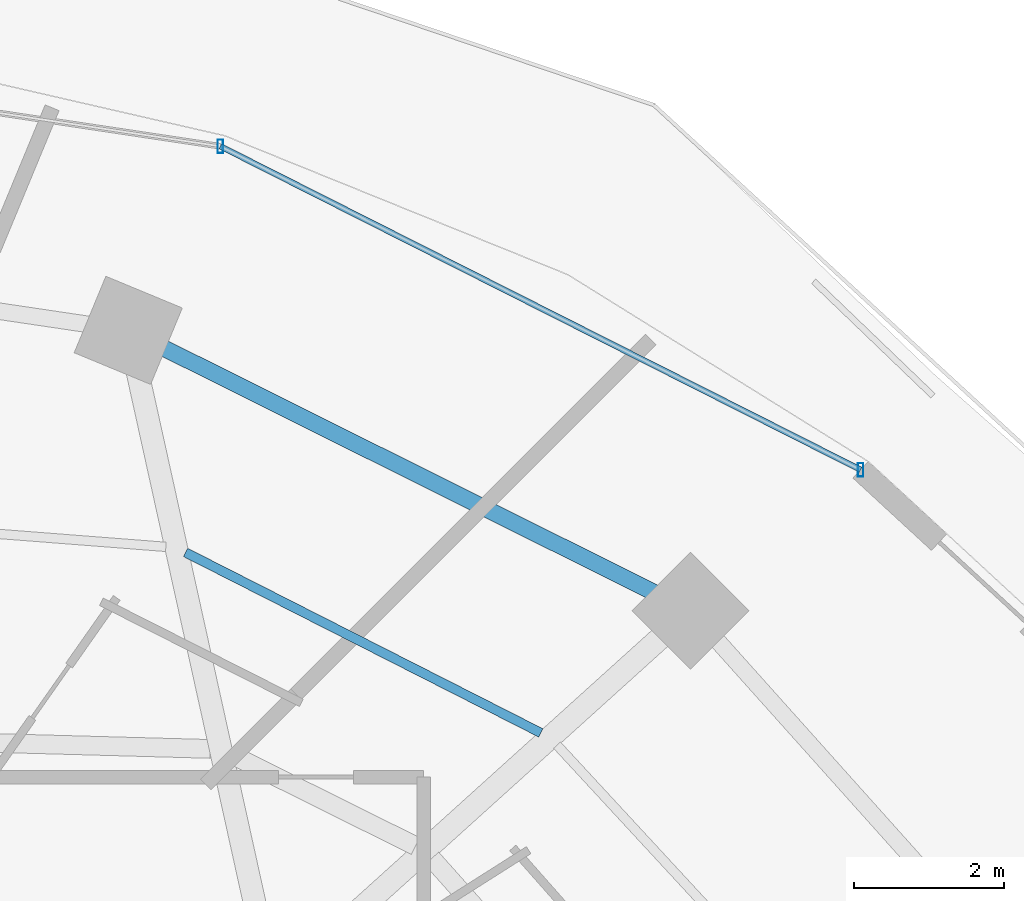
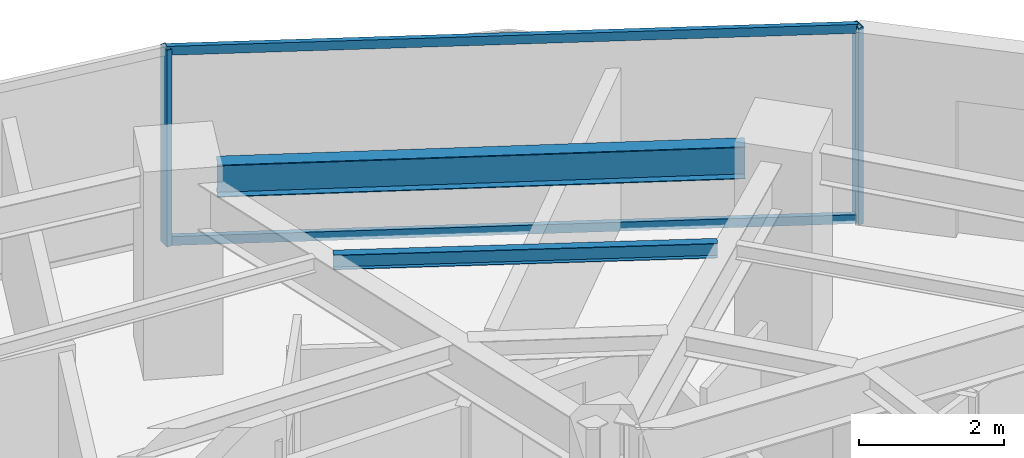
# One storey, part 21 of 30: 4 members, 2 beams, 1 element without a shape of its own.
"""IFC4 building model written with IfcOpenShell, lengths in metres."""

import ifcopenshell
import ifcopenshell.guid

model = None  # the IFC model being written
_history = None  # IfcOwnerHistory: only IFC2X3 demands one
_inside = {}  # id of a spatial element -> (the spatial element, [elements in it])
_under = {}  # id of a project, library or spatial element -> (it, [spatial elements below it])
_declared = {}  # id of a project -> (the project, [libraries it declares])
_typed = {}  # id of a type object -> (the type object, [elements of that type])
_made_of = {}  # id of a material, layer set ... -> (it, [elements and type objects made of it])


def new_model(schema):
    """Start an empty IFC model of exactly this schema.

    Asked for "IFC4X3", IfcOpenShell would pick the latest addendum, in which some entities
    have other attributes; the version numbers below select the first issue.
    IFC2X3 requires an IfcOwnerHistory on every rooted entity: one is made here for all.
    """
    global model, _history
    if schema == "IFC4X3":
        model = ifcopenshell.file(schema_version=(4, 3, 0, 0))
    else:
        model = ifcopenshell.file(schema=schema)
    _inside.clear()
    _under.clear()
    _declared.clear()
    _typed.clear()
    _made_of.clear()
    _history = None
    if model.schema == "IFC2X3":
        org = make("IfcOrganization", Name="unknown")
        user = make(
            "IfcPersonAndOrganization",
            ThePerson=make("IfcPerson", FamilyName="unknown"),
            TheOrganization=org,
        )
        app = make(
            "IfcApplication",
            ApplicationDeveloper=org,
            Version="unknown",
            ApplicationFullName="unknown",
            ApplicationIdentifier="unknown",
        )
        _history = make(
            "IfcOwnerHistory",
            OwningUser=user,
            OwningApplication=app,
            ChangeAction="ADDED",
            CreationDate=0,
        )
    return model


def make(cls, **values):
    """One entity of the class cls with the attributes given. An attribute that is None is left unset."""
    return model.create_entity(
        cls, **{name: value for name, value in values.items() if value is not None}
    )


def rooted(cls, **values):
    """An entity with a GlobalId (a new one), such as an element, a storey or a relation."""
    return make(cls, GlobalId=ifcopenshell.guid.new(), OwnerHistory=_history, **values)


def si_unit(unit_type, name, prefix=None):
    """IfcSIUnit, for example si_unit("LENGTHUNIT", "METRE", prefix="MILLI")."""
    return make("IfcSIUnit", UnitType=unit_type, Prefix=prefix, Name=name)


def assignment(units):
    """IfcUnitAssignment: the units of a project."""
    return None if units is None else make("IfcUnitAssignment", Units=units)


def point(xyz):
    """IfcCartesianPoint."""
    return None if xyz is None else make("IfcCartesianPoint", Coordinates=xyz)


def direction(xyz):
    """IfcDirection."""
    return None if xyz is None else make("IfcDirection", DirectionRatios=xyz)


def frame(location, z_axis=None, x_axis=None):
    """IfcAxis2Placement3D, a coordinate frame: its origin and axes. An axis left out is left unset."""
    return make(
        "IfcAxis2Placement3D",
        Location=point(location),
        Axis=direction(z_axis),
        RefDirection=direction(x_axis),
    )


def frame_2d(location, x_axis=None):
    """IfcAxis2Placement2D, a coordinate frame in the plane: its origin and x axis."""
    return make(
        "IfcAxis2Placement2D", Location=point(location), RefDirection=direction(x_axis)
    )


def origin():
    """The frame at (0, 0, 0) with its axes left unset."""
    return frame((0.0, 0.0, 0.0))


def origin_2d():
    """The frame at (0, 0) in the plane with its x axis left unset."""
    return frame_2d((0.0, 0.0))


def place(relative_to, where):
    """IfcLocalPlacement: puts the frame where relative to a parent placement (None: the world)."""
    return make(
        "IfcLocalPlacement", PlacementRelTo=relative_to, RelativePlacement=where
    )


def context(
    kind, dimensions, precision=None, world=None, true_north=None, identifier=None
):
    """IfcGeometricRepresentationContext, for example the 3D "Model" context."""
    return make(
        "IfcGeometricRepresentationContext",
        ContextIdentifier=identifier,
        ContextType=kind,
        CoordinateSpaceDimension=dimensions,
        Precision=precision,
        WorldCoordinateSystem=world,
        TrueNorth=true_north,
    )


def subcontext(parent, identifier, kind, view, scale=None):
    """IfcGeometricRepresentationSubContext, for example "Body" below "Model"."""
    return make(
        "IfcGeometricRepresentationSubContext",
        ContextIdentifier=identifier,
        ContextType=kind,
        ParentContext=parent,
        TargetScale=scale,
        TargetView=view,
    )


def project(units=None, contexts=None):
    """IfcProject with its units and contexts."""
    return rooted(
        "IfcProject",
        Name="project",
        RepresentationContexts=contexts,
        UnitsInContext=assignment(units),
    )


def spatial(cls, under=None, at=None, **own):
    """A site, building, storey or space (cls), placed at a placement, below another one or the project."""
    s = rooted(cls, ObjectPlacement=at, **own)
    if under is not None:
        _under.setdefault(under.id(), (under, []))[1].append(s)
    return s


def profile(cls, at=None, kind="AREA", **sizes):
    """A parametric profile (cls). Its sizes go by their IFC names, for example OverallWidth=200.0."""
    return make(cls, ProfileType=kind, Position=at, **sizes)


def hollow_rectangle(**sizes):
    """IfcRectangleHollowProfileDef."""
    return profile("IfcRectangleHollowProfileDef", **sizes)


def i_section(**sizes):
    """IfcIShapeProfileDef."""
    return profile("IfcIShapeProfileDef", **sizes)


def extrude(swept, where, along, depth):
    """IfcExtrudedAreaSolid: the profile swept, set in the frame where, extruded along a direction by depth."""
    return make(
        "IfcExtrudedAreaSolid",
        SweptArea=swept,
        Position=where,
        ExtrudedDirection=direction(along),
        Depth=depth,
    )


def shape(context_of_items, identifier, shape_type, items):
    """IfcShapeRepresentation: the items that make up one representation, for example the "Body"."""
    return make(
        "IfcShapeRepresentation",
        ContextOfItems=context_of_items,
        RepresentationIdentifier=identifier,
        RepresentationType=shape_type,
        Items=items,
    )


def material(Name=None, Category=None):
    """IfcMaterial."""
    return make("IfcMaterial", Name=Name, Category=Category)


def material_profile(
    of_material, cross_section, Name=None, Category=None, Priority=None
):
    """IfcMaterialProfile: a cross section and its material."""
    return make(
        "IfcMaterialProfile",
        Name=Name,
        Material=of_material,
        Profile=cross_section,
        Priority=Priority,
        Category=Category,
    )


def profile_set(profiles, Name=None, composite=None):
    """IfcMaterialProfileSet."""
    return make(
        "IfcMaterialProfileSet",
        Name=Name,
        MaterialProfiles=profiles,
        CompositeProfile=composite,
    )


def made_of(thing, what):
    """Note that an element or type object is made of a material, layer set ...; save() writes the relation."""
    if what is not None:
        _made_of.setdefault(what.id(), (what, []))[1].append(thing)
    return thing


def type_object(cls, material=None, **own):
    """A type object (cls), such as IfcWallType, which elements share."""
    return made_of(rooted(cls, **own), material)


def element(
    cls,
    number,
    at=None,
    inside=None,
    cuts=None,
    type_object=None,
    material=None,
    context=None,
    identifier="Body",
    shape_type=None,
    held_by="IfcProductDefinitionShape",
    body=None,
    shapes=None,
    **own,
):
    """One element of the class cls, such as IfcWall. Its Tag is "e" and its number.

    at: its placement. inside: the storey or other place that contains it. cuts: it is an
    opening in that element (IfcRelVoidsElement). A single representation is given by context,
    identifier, shape_type and body (its items); several are given by shapes. held_by: the class
    of the entity that holds the representations. save() writes the other relations.
    """
    e = rooted(cls, Tag="e%d" % number, ObjectPlacement=at, **own)
    if body is not None:
        shapes = [shape(context, identifier, shape_type, body)]
    if shapes is not None:
        e.Representation = make(held_by, Representations=shapes)
    if inside is not None:
        _inside.setdefault(inside.id(), (inside, []))[1].append(e)
    if cuts is not None:
        rooted(
            "IfcRelVoidsElement", RelatingBuildingElement=cuts, RelatedOpeningElement=e
        )
    if type_object is not None:
        _typed.setdefault(type_object.id(), (type_object, []))[1].append(e)
    return made_of(e, material)


def aggregate(whole, parts):
    """IfcRelAggregates: a whole, such as a stair, and the parts it consists of."""
    return rooted("IfcRelAggregates", RelatingObject=whole, RelatedObjects=parts)


def save(model, path):
    """Write the relations noted so far, then the file.

    IfcRelAggregates (storeys below a building ...), IfcRelContainedInSpatialStructure (elements
    in a storey), IfcRelDefinesByType, IfcRelAssociatesMaterial and IfcRelDeclares: one each for
    every whole, place, type object, material and project.
    """
    for whole, parts in _under.values():
        aggregate(whole, parts)
    for where, things in _inside.values():
        rooted(
            "IfcRelContainedInSpatialStructure",
            RelatedElements=things,
            RelatingStructure=where,
        )
    for kind, things in _typed.values():
        rooted("IfcRelDefinesByType", RelatedObjects=things, RelatingType=kind)
    for what, things in _made_of.values():
        rooted("IfcRelAssociatesMaterial", RelatedObjects=things, RelatingMaterial=what)
    for by, libraries in _declared.values():
        rooted("IfcRelDeclares", RelatingContext=by, RelatedDefinitions=libraries)
    model.write(path)


model = new_model("IFC4")

# Units and contexts
model_context = context("Model", 3, precision=1e-05, world=origin(), true_north=direction((0.0, 1.0)))
body_context = subcontext(model_context, "Body", "Model", "MODEL_VIEW")
ifc_project = project(units=[si_unit("LENGTHUNIT", "METRE"), si_unit("AREAUNIT", "SQUARE_METRE"), si_unit("VOLUMEUNIT", "CUBIC_METRE"), si_unit("PLANEANGLEUNIT", "RADIAN"), si_unit("MASSUNIT", "GRAM", prefix="KILO")], contexts=[model_context])

# Site, building, storey
site_placement = place(None, origin())
site = spatial("IfcSite", under=ifc_project, at=site_placement, CompositionType="ELEMENT")
building_placement = place(site_placement, origin())
building = spatial("IfcBuilding", under=site, at=building_placement, Name="Vorneva Point Tower", CompositionType="ELEMENT")
storey_placement = place(building_placement, frame((0.0, 0.0, 106.800048828125)))
storey = spatial("IfcBuildingStorey", under=building, at=storey_placement, Name="L28", CompositionType="ELEMENT", Elevation=106.800048828125)

# Beams
ifc_material_1 = material(Name="Steel S355", Category="steel")
ifc_material_profile_1 = material_profile(ifc_material_1, i_section(OverallWidth=0.1240234375, OverallDepth=0.248046875, WebThickness=0.0048828125, FlangeThickness=0.008056640625, at=origin_2d()), Name="25B1")
ifc_profile_set_1 = profile_set([ifc_material_profile_1], Name="Steel S355")
beam_type_1 = type_object("IfcBeamType", Name="BM-JST-25B1", PredefinedType="JOIST", material=ifc_profile_set_1)
beam_1_placement = place(storey_placement, frame((52.307373046875, 36.537109375, 3.115966796875), z_axis=(-0.89155318404, 0.452916018737, 0.0), x_axis=(-0.452916018737, -0.89155318404, 0.0)))
element("IfcBeam", 1, at=beam_1_placement, inside=storey, type_object=beam_type_1, Name="L28 Secondary Floor Beam 1.03", PredefinedType="JOIST", context=body_context, shape_type="SweptSolid", body=[
    extrude(i_section(OverallWidth=0.1240234375, OverallDepth=0.248046875, WebThickness=0.0048828125, FlangeThickness=0.008056640625, at=origin_2d()), origin(), (0.0, 0.0, 1.0), 5.30029296875),
])
ifc_material_profile_2 = material_profile(ifc_material_1, i_section(OverallWidth=0.219970703125, OverallDepth=0.54296875, WebThickness=0.009521484375, FlangeThickness=0.013427734375, at=origin_2d()), Name="55B1")
ifc_profile_set_2 = profile_set([ifc_material_profile_2], Name="Steel S355")
beam_type_2 = type_object("IfcBeamType", Name="BM-SPN-55B1", PredefinedType="SPANDREL", material=ifc_profile_set_2)
beam_2_placement = place(storey_placement, frame((53.820068359375, 38.40087890625, 2.968505859375), z_axis=(-0.894915882304, 0.446234874926, 0.0), x_axis=(-0.446234874926, -0.894915882304, 0.0)))
element("IfcBeam", 2, at=beam_2_placement, inside=storey, type_object=beam_type_2, Name="L28 Perimeter Spandrel Ring Beam 03", PredefinedType="SPANDREL", context=body_context, shape_type="SweptSolid", body=[
    extrude(i_section(OverallWidth=0.219970703125, OverallDepth=0.54296875, WebThickness=0.009521484375, FlangeThickness=0.013427734375, at=origin_2d()), origin(), (0.0, 0.0, 1.0), 7.285888671875),
])

# Curtain wall, members
ifc_material_2 = material(Name="Pale anodised aluminium", Category="aluminium")
curtain_wall_type = type_object("IfcCurtainWallType", Name="CW-HTL-SYS", PredefinedType="NOTDEFINED", material=ifc_material_2)
curtain_wall_placement = place(storey_placement, origin())
curtain_wall = element("IfcCurtainWall", 3, at=curtain_wall_placement, inside=storey, type_object=curtain_wall_type, Name="L28 Unitised Curtain Wall CW-L28-R02", PredefinedType="NOTDEFINED")
ifc_material_profile_3 = material_profile(ifc_material_2, hollow_rectangle(XDim=0.074951171875, YDim=0.179931640625, WallThickness=0.00390625, at=origin_2d()), Name="AL-MUL 180x75x4")
ifc_profile_set_3 = profile_set([ifc_material_profile_3], Name="Pale anodised aluminium")
member_type_1 = type_object("IfcMemberType", Name="CW-MUL-180", PredefinedType="MULLION", material=ifc_profile_set_3)
member_1_placement = place(storey_placement, frame((56.5615234375, 40.0361328125, -0.0400390625), z_axis=(0.0, 0.0, 1.0), x_axis=(1.0, 0.0, 0.0)))
member_1 = element("IfcMember", 4, at=member_1_placement, type_object=member_type_1, Name="CW-L28-R02 Mullion 01", PredefinedType="MULLION", context=body_context, shape_type="SweptSolid", body=[
    extrude(hollow_rectangle(XDim=0.074951171875, YDim=0.179931640625, WallThickness=0.00390625, at=origin_2d()), origin(), (0.0, 0.0, 1.0), 3.31005859375),
])
member_2_placement = place(storey_placement, frame((48.04541015625, 44.339111328125, -0.0400390625), z_axis=(0.0, 0.0, 1.0), x_axis=(1.0, 0.0, 0.0)))
member_2 = element("IfcMember", 5, at=member_2_placement, type_object=member_type_1, Name="CW-L28-R02 Mullion 02", PredefinedType="MULLION", context=body_context, shape_type="SweptSolid", body=[
    extrude(hollow_rectangle(XDim=0.074951171875, YDim=0.179931640625, WallThickness=0.00390625, at=origin_2d()), origin(), (0.0, 0.0, 1.0), 3.31005859375),
])
ifc_material_profile_4 = material_profile(ifc_material_2, hollow_rectangle(XDim=0.074951171875, YDim=0.14990234375, WallThickness=0.00390625, at=origin_2d()), Name="AL-TRN 150x75x4")
ifc_profile_set_4 = profile_set([ifc_material_profile_4], Name="Pale anodised aluminium")
member_type_2 = type_object("IfcMemberType", Name="CW-TRN-150", PredefinedType="USERDEFINED", material=ifc_profile_set_4)
member_3_placement = place(storey_placement, frame((56.5615234375, 40.0361328125, 0.02001953125), z_axis=(-0.892536035732, 0.450976080207, 0.0), x_axis=(-0.450976080207, -0.892536035732, 0.0)))
member_3 = element("IfcMember", 6, at=member_3_placement, type_object=member_type_2, Name="CW-L28-R02 Transom 01.1", ObjectType="TRANSOM", PredefinedType="USERDEFINED", context=body_context, shape_type="SweptSolid", body=[
    extrude(hollow_rectangle(XDim=0.074951171875, YDim=0.14990234375, WallThickness=0.00390625, at=origin_2d()), origin(), (0.0, 0.0, 1.0), 9.54150390625),
])
member_4_placement = place(storey_placement, frame((56.5615234375, 40.0361328125, 3.219970703125), z_axis=(-0.892536035732, 0.450976080207, 0.0), x_axis=(-0.450976080207, -0.892536035732, 0.0)))
member_4 = element("IfcMember", 7, at=member_4_placement, type_object=member_type_2, Name="CW-L28-R02 Transom 01.2", ObjectType="TRANSOM", PredefinedType="USERDEFINED", context=body_context, shape_type="SweptSolid", body=[
    extrude(hollow_rectangle(XDim=0.074951171875, YDim=0.14990234375, WallThickness=0.00390625, at=origin_2d()), origin(), (0.0, 0.0, 1.0), 9.54150390625),
])
aggregate(curtain_wall, [member_1, member_2, member_3, member_4])

save(model, "model.ifc")
